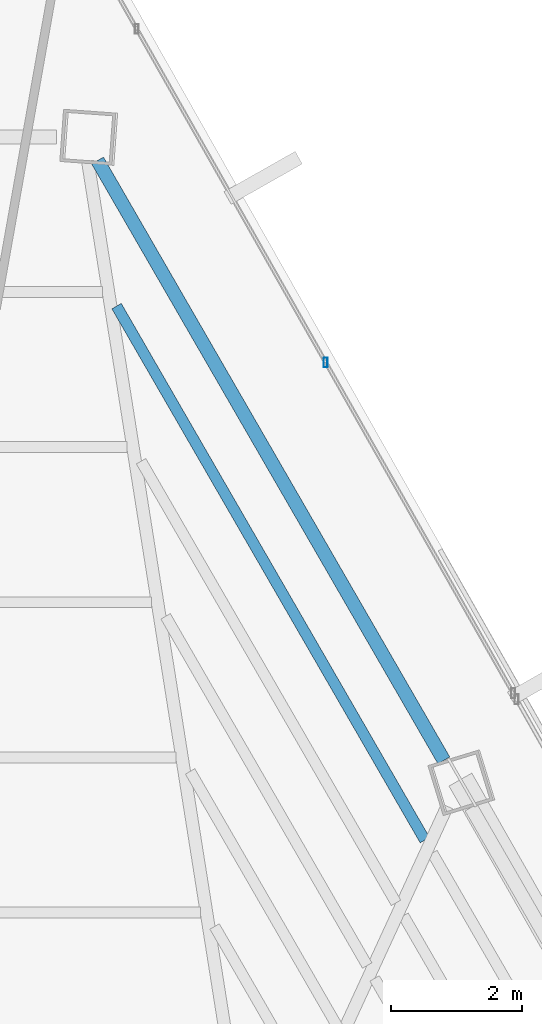
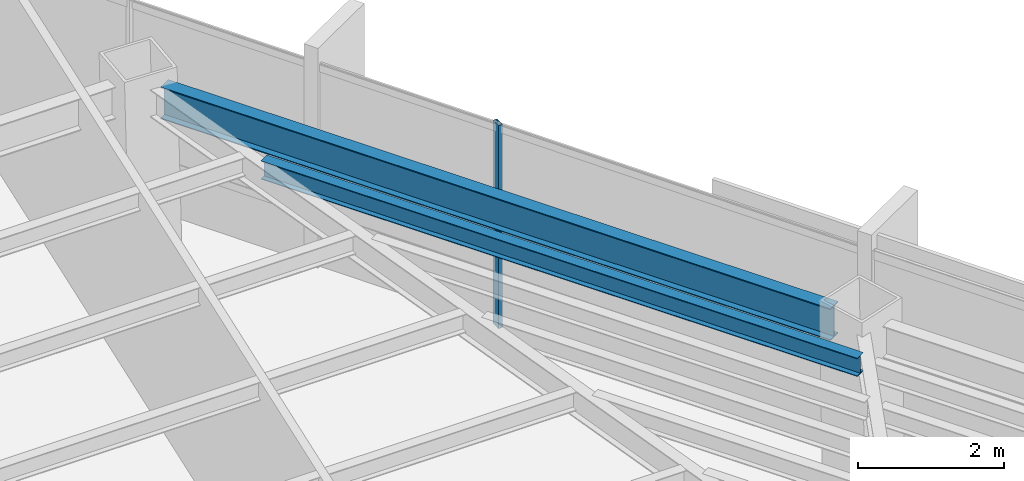
# One storey, part 32 of 41: 2 beams, 1 member, 1 element without a shape of its own.
"""IFC4 building model written with IfcOpenShell, lengths in metres."""

from ifc_helpers import new_model, si_unit, direction, frame, origin, origin_2d, place, context, subcontext, project, spatial, hollow_rectangle, i_section, extrude, source, transform, mapped, material, material_profile, profile_set, type_object, type_shapes, element, aggregate, save


model = new_model("IFC4")

# Units and contexts
model_context = context("Model", 3, precision=1e-05, world=origin(), true_north=direction((0.0, 1.0)))
body_context = subcontext(model_context, "Body", "Model", "MODEL_VIEW")
ifc_project = project(units=[si_unit("LENGTHUNIT", "METRE"), si_unit("AREAUNIT", "SQUARE_METRE"), si_unit("VOLUMEUNIT", "CUBIC_METRE"), si_unit("PLANEANGLEUNIT", "RADIAN"), si_unit("MASSUNIT", "GRAM", prefix="KILO")], contexts=[model_context])

# Site, building, storey
site_placement = place(None, origin())
site = spatial("IfcSite", under=ifc_project, at=site_placement, CompositionType="ELEMENT")
building_placement = place(site_placement, origin())
building = spatial("IfcBuilding", under=site, at=building_placement, Name="Caelisora Broadcast Tower", CompositionType="ELEMENT")
storey_placement = place(building_placement, frame((0.0, 0.0, 209.60009765625)))
storey = spatial("IfcBuildingStorey", under=building, at=storey_placement, Name="L55", CompositionType="ELEMENT", Elevation=209.60009765625)

# Beams
ifc_material_1 = material(Name="Steel Grade 350 (AS/NZS 3679.1)", Category="steel")
ifc_material_profile_1 = material_profile(ifc_material_1, i_section(OverallWidth=0.208984375, OverallDepth=0.532958984375, WebThickness=0.01025390625, FlangeThickness=0.015625, at=origin_2d()), Name="Steel Grade 350 (AS/NZS 3679.1)")
ifc_profile_set_1 = profile_set([ifc_material_profile_1], Name="Steel Grade 350 (AS/NZS 3679.1)")
beam_type_1 = type_object("IfcBeamType", Name="PG05", PredefinedType="BEAM", material=ifc_profile_set_1)
shared_shape_1 = source(origin(), body_context, "Body", "SweptSolid", [
    extrude(i_section(OverallWidth=0.208984375, OverallDepth=0.532958984375, WebThickness=0.01025390625, FlangeThickness=0.015625, at=origin_2d()), origin(), (0.0, 0.0, 1.0), 10.589599609375),
])
type_shapes(beam_type_1, [shared_shape_1])
beam_1_placement = place(storey_placement, frame((48.379638671875, 37.0673828125, 3.13330078125), z_axis=(-0.500007166863, 0.866021265955, 0.0), x_axis=(-0.866021265955, -0.500007166863, 0.0)))
element("IfcBeam", 1, at=beam_1_placement, inside=storey, type_object=beam_type_1, Name="L55 beam PG05", PredefinedType="BEAM", context=body_context, shape_type="MappedRepresentation", body=[
    mapped(shared_shape_1, transform((0.0, 0.0, 0.0), scale=1.0)),
])
ifc_material_profile_2 = material_profile(ifc_material_1, i_section(OverallWidth=0.166015625, OverallDepth=0.30712890625, WebThickness=0.006591796875, FlangeThickness=0.01171875, at=origin_2d()), Name="Steel Grade 350 (AS/NZS 3679.1)")
ifc_profile_set_2 = profile_set([ifc_material_profile_2], Name="Steel Grade 350 (AS/NZS 3679.1)")
beam_type_2 = type_object("IfcBeamType", Name="SB03", PredefinedType="JOIST", material=ifc_profile_set_2)
shared_shape_2 = source(origin(), body_context, "Body", "SweptSolid", [
    extrude(i_section(OverallWidth=0.166015625, OverallDepth=0.30712890625, WebThickness=0.006591796875, FlangeThickness=0.01171875, at=origin_2d()), origin(), (0.0, 0.0, 1.0), 9.427734375),
])
type_shapes(beam_type_2, [shared_shape_2])
beam_2_placement = place(storey_placement, frame((48.089599609375, 35.847900390625, 3.246337890625), z_axis=(-0.500004900167, 0.866022574653, 0.0), x_axis=(-0.866022574653, -0.500004900167, 0.0)))
element("IfcBeam", 2, at=beam_2_placement, inside=storey, type_object=beam_type_2, Name="L55 beam SB03", PredefinedType="JOIST", context=body_context, shape_type="MappedRepresentation", body=[
    mapped(shared_shape_2, transform((0.0, 0.0, 0.0), scale=1.0)),
])

# Curtain wall, member
ifc_material_2 = material(Name="Unitised Aluminium and Low-E Glass Curtain Wall", Category="glass")
curtain_wall_type = type_object("IfcCurtainWallType", Name="CW-Z4", PredefinedType="NOTDEFINED", material=ifc_material_2)
curtain_wall_placement = place(storey_placement, origin())
curtain_wall = element("IfcCurtainWall", 3, at=curtain_wall_placement, inside=storey, type_object=curtain_wall_type, Name="L55 curtain wall CW-Z4", PredefinedType="NOTDEFINED")
ifc_material_3 = material(Name="Aluminium 6063-T6 Anodised Terracotta Bronze", Category="aluminium")
ifc_material_profile_3 = material_profile(ifc_material_3, hollow_rectangle(XDim=0.06005859375, YDim=0.14990234375, WallThickness=0.00341796875, at=origin_2d()), Name="Aluminium 6063-T6 Anodised Terracotta Bronze")
ifc_profile_set_3 = profile_set([ifc_material_profile_3], Name="Aluminium 6063-T6 Anodised Terracotta Bronze")
member_type = type_object("IfcMemberType", Name="CWM-03", PredefinedType="MULLION", material=ifc_profile_set_3)
shared_shape_3 = source(origin(), body_context, "Body", "SweptSolid", [
    extrude(hollow_rectangle(XDim=0.06005859375, YDim=0.14990234375, WallThickness=0.00341796875, at=origin_2d()), origin(), (0.0, 0.0, 1.0), 3.39990234375),
])
type_shapes(member_type, [shared_shape_3])
member_placement = place(storey_placement, frame((46.5732421875, 43.151123046875, 0.0), z_axis=(0.0, 0.0, 1.0), x_axis=(1.0, 0.0, 0.0)))
member = element("IfcMember", 4, at=member_placement, type_object=member_type, Name="L55-CW-B01 mullion #2", PredefinedType="MULLION", context=body_context, shape_type="MappedRepresentation", body=[
    mapped(shared_shape_3, transform((0.0, 0.0, 0.0), scale=1.0)),
])
aggregate(curtain_wall, [member])

save(model, "model.ifc")
